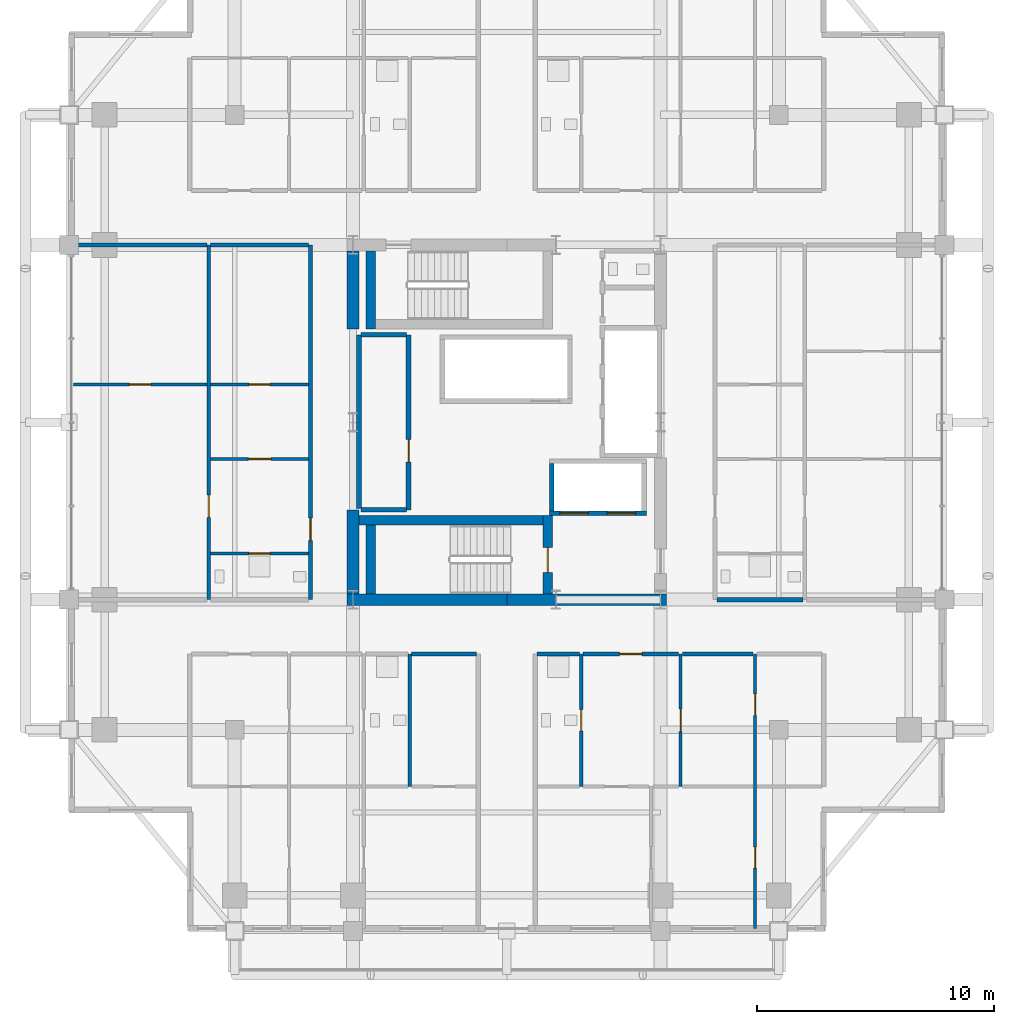
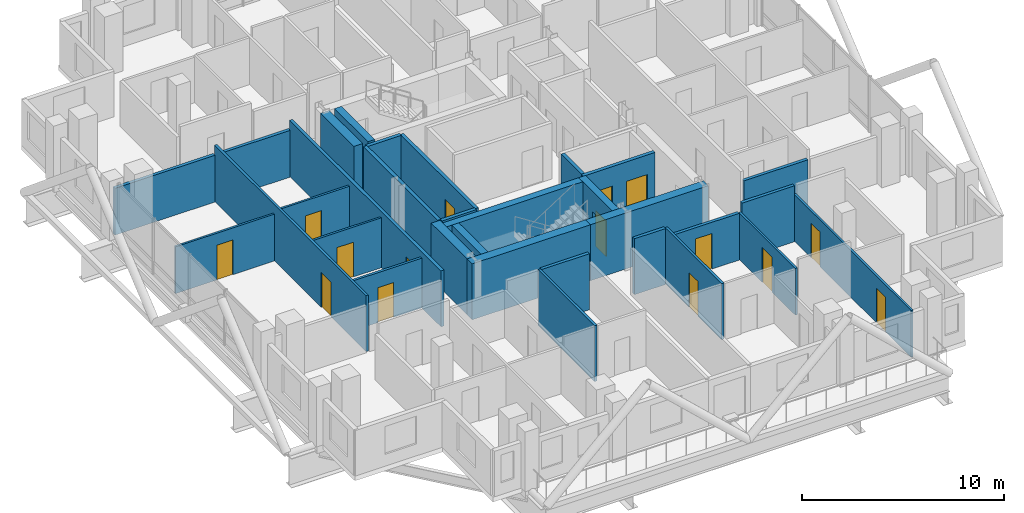
# One storey, part 17 of 23: 31 walls, 15 doors, 15 openings.
"""IFC4 building model written with IfcOpenShell, lengths in metres."""

from ifc_helpers import new_model, si_unit, direction, frame, frame_2d, origin, place, context, subcontext, project, spatial, rectangle, extrude, material, layer, layer_set, type_object, element, fill, save


model = new_model("IFC4")

# Units and contexts
model_context = context("Model", 3, precision=1e-05, world=origin(), true_north=direction((0.0, 1.0)))
body_context = subcontext(model_context, "Body", "Model", "MODEL_VIEW")
ifc_project = project(units=[si_unit("LENGTHUNIT", "METRE"), si_unit("AREAUNIT", "SQUARE_METRE"), si_unit("VOLUMEUNIT", "CUBIC_METRE"), si_unit("PLANEANGLEUNIT", "RADIAN"), si_unit("MASSUNIT", "GRAM", prefix="KILO")], contexts=[model_context])

# Site, building, storey
site_placement = place(None, origin())
site = spatial("IfcSite", under=ifc_project, at=site_placement, CompositionType="ELEMENT")
building_placement = place(site_placement, origin())
building = spatial("IfcBuilding", under=site, at=building_placement, Name="Barlavira Tower and Art Museum", CompositionType="ELEMENT")
storey_placement = place(building_placement, frame((0.0, 0.0, 165.60009765625)))
storey = spatial("IfcBuildingStorey", under=building, at=storey_placement, Name="L42", CompositionType="ELEMENT", Elevation=165.60009765625)

# Wall, opening, door
ifc_material_1 = material(Name="Gypsum acoustic stud partition", Category="gypsum")
ifc_layer_1 = layer(ifc_material_1, 0.1201171875, Name="Gypsum acoustic stud partition")
ifc_layer_set_1 = layer_set([ifc_layer_1], Name="Gypsum acoustic stud partition")
wall_type_1 = type_object("IfcWallType", Name="Apartment Internal Acoustic Partition 120", PredefinedType="PARTITIONING", material=ifc_layer_set_1)
wall_1_placement = place(storey_placement, frame((7.35009765625, -15.39990234375, 0.0), z_axis=(0.0, 0.0, 1.0), x_axis=(0.0, 1.0, 0.0)))
wall_1 = element("IfcWall", 1, at=wall_1_placement, inside=storey, type_object=wall_type_1, Name="L42 Partition Wall 21", PredefinedType="PARTITIONING", context=body_context, shape_type="SweptSolid", body=[
    extrude(rectangle(XDim=5.599853515625, YDim=0.1201171875, at=frame_2d((2.7998046875, 0.0))), origin(), (0.0, 0.0, 1.0), 2.825927734375),
])
opening_1_placement = place(wall_1_placement, frame((2.324951171875, 0.0, 0.0)))
opening_1 = element("IfcOpeningElement", 2, at=opening_1_placement, cuts=wall_1, Name="Opening D-02", PredefinedType="OPENING", context=body_context, shape_type="SweptSolid", body=[
    extrude(rectangle(XDim=0.949951171875, YDim=2.10009765625, at=frame_2d((0.47509765625, 1.050048828125))), frame((0.0, 0.070068359375, 0.0), z_axis=(0.0, -1.0, 0.0), x_axis=(1.0, 0.0, 0.0)), (0.0, 0.0, 1.0), 0.14013671875),
])
ifc_material_2 = material(Name="Engineered coastal hardwood", Category="wood")
door_type_1 = type_object("IfcDoorType", Name="Living and Salon Glazed-Leaf Door 950x2100", OperationType="NOTDEFINED", PredefinedType="DOOR", material=ifc_material_2)
door_1_placement = place(opening_1_placement, origin())
door_1 = element("IfcDoor", 3, at=door_1_placement, inside=storey, type_object=door_type_1, Name="Apartment SE1 Kitchen Door", OperationType="SINGLE_SWING_RIGHT", OverallHeight=2.10009765625, OverallWidth=0.949951171875, PredefinedType="DOOR", context=body_context, shape_type="SweptSolid", body=[
    extrude(rectangle(XDim=0.949951171875, YDim=2.10009765625, at=frame_2d((0.47509765625, 1.050048828125))), frame((0.0, 0.02490234375, 0.0), z_axis=(0.0, -1.0, 0.0), x_axis=(1.0, 0.0, 0.0)), (0.0, 0.0, 1.0), 0.050048828125),
])
fill(opening_1, door_1)

# Wall, openings, doors
wall_2_placement = place(storey_placement, frame((10.5, -21.39990234375, 0.0), z_axis=(0.0, 0.0, 1.0), x_axis=(0.0, 1.0, 0.0)))
wall_2 = element("IfcWall", 4, at=wall_2_placement, inside=storey, type_object=wall_type_1, Name="L42 Partition Wall 24", PredefinedType="PARTITIONING", context=body_context, shape_type="SweptSolid", body=[
    extrude(rectangle(XDim=11.599853515625, YDim=0.1201171875, at=frame_2d((5.7998046875, 0.0))), origin(), (0.0, 0.0, 1.0), 2.825927734375),
])
opening_2_placement = place(wall_2_placement, frame((9.005859375, 0.0, 0.0)))
opening_2 = element("IfcOpeningElement", 5, at=opening_2_placement, cuts=wall_2, Name="Opening D-01", PredefinedType="OPENING", context=body_context, shape_type="SweptSolid", body=[
    extrude(rectangle(XDim=0.89990234375, YDim=2.10009765625, at=frame_2d((0.449951171875, 1.050048828125))), frame((0.0, 0.070068359375, 0.0), z_axis=(0.0, -1.0, 0.0), x_axis=(1.0, 0.0, 0.0)), (0.0, 0.0, 1.0), 0.14013671875),
])
opening_3_placement = place(wall_2_placement, frame((2.550048828125, 0.0, 0.0)))
opening_3 = element("IfcOpeningElement", 6, at=opening_3_placement, cuts=wall_2, Name="Opening D-01", PredefinedType="OPENING", context=body_context, shape_type="SweptSolid", body=[
    extrude(rectangle(XDim=0.89990234375, YDim=2.10009765625, at=frame_2d((0.449951171875, 1.050048828125))), frame((0.0, 0.070068359375, 0.0), z_axis=(0.0, -1.0, 0.0), x_axis=(1.0, 0.0, 0.0)), (0.0, 0.0, 1.0), 0.14013671875),
])
door_type_2 = type_object("IfcDoorType", Name="Internal Bedroom Timber Flush Door 900x2100", OperationType="NOTDEFINED", PredefinedType="DOOR", material=ifc_material_2)
door_2_placement = place(opening_2_placement, origin())
door_2 = element("IfcDoor", 7, at=door_2_placement, inside=storey, type_object=door_type_2, Name="Apartment SE1 Walk-In Dressing Room Door", OperationType="SINGLE_SWING_LEFT", OverallHeight=2.10009765625, OverallWidth=0.89990234375, PredefinedType="DOOR", context=body_context, shape_type="SweptSolid", body=[
    extrude(rectangle(XDim=0.89990234375, YDim=2.10009765625, at=frame_2d((0.449951171875, 1.050048828125))), frame((0.0, 0.02490234375, 0.0), z_axis=(0.0, -1.0, 0.0), x_axis=(1.0, 0.0, 0.0)), (0.0, 0.0, 1.0), 0.050048828125),
])
fill(opening_2, door_2)
door_3_placement = place(opening_3_placement, origin())
door_3 = element("IfcDoor", 8, at=door_3_placement, inside=storey, type_object=door_type_2, Name="Apartment SE1 Bedroom 2 Door", OperationType="SINGLE_SWING_RIGHT", OverallHeight=2.10009765625, OverallWidth=0.89990234375, PredefinedType="DOOR", context=body_context, shape_type="SweptSolid", body=[
    extrude(rectangle(XDim=0.89990234375, YDim=2.10009765625, at=frame_2d((0.449951171875, 1.050048828125))), frame((0.0, 0.02490234375, 0.0), z_axis=(0.0, -1.0, 0.0), x_axis=(1.0, 0.0, 0.0)), (0.0, 0.0, 1.0), 0.050048828125),
])
fill(opening_3, door_3)

# Wall, opening, door
wall_3_placement = place(storey_placement, frame((-12.52001953125, -1.550048828125, 0.0), z_axis=(0.0, 0.0, 1.0), x_axis=(1.0, 0.0, 0.0)))
wall_3 = element("IfcWall", 9, at=wall_3_placement, inside=storey, type_object=wall_type_1, Name="L42 Partition Wall 53", PredefinedType="PARTITIONING", context=body_context, shape_type="SweptSolid", body=[
    extrude(rectangle(XDim=4.14013671875, YDim=0.1201171875, at=frame_2d((2.070068359375, 0.0))), origin(), (0.0, 0.0, 1.0), 3.010986328125),
])
opening_4_placement = place(wall_3_placement, frame((1.594970703125, 0.0, 0.0)))
opening_4 = element("IfcOpeningElement", 10, at=opening_4_placement, cuts=wall_3, Name="Opening D-02", PredefinedType="OPENING", context=body_context, shape_type="SweptSolid", body=[
    extrude(rectangle(XDim=0.949951171875, YDim=2.10009765625, at=frame_2d((0.47509765625, 1.050048828125))), frame((0.0, 0.070068359375, 0.0), z_axis=(0.0, -1.0, 0.0), x_axis=(1.0, 0.0, 0.0)), (0.0, 0.0, 1.0), 0.14013671875),
])
door_4_placement = place(opening_4_placement, origin())
door_4 = element("IfcDoor", 11, at=door_4_placement, inside=storey, type_object=door_type_1, Name="Apartment W1 Kitchen Door", OperationType="SINGLE_SWING_LEFT", OverallHeight=2.10009765625, OverallWidth=0.949951171875, PredefinedType="DOOR", context=body_context, shape_type="SweptSolid", body=[
    extrude(rectangle(XDim=0.949951171875, YDim=2.10009765625, at=frame_2d((0.47509765625, 1.050048828125))), frame((0.0, 0.02490234375, 0.0), z_axis=(0.0, -1.0, 0.0), x_axis=(1.0, 0.0, 0.0)), (0.0, 0.0, 1.0), 0.050048828125),
])
fill(opening_4, door_4)

wall_4_placement = place(storey_placement, frame((-18.320068359375, 1.60009765625, 0.0), z_axis=(0.0, 0.0, 1.0), x_axis=(1.0, 0.0, 0.0)))
wall_4 = element("IfcWall", 12, at=wall_4_placement, inside=storey, type_object=wall_type_1, Name="L42 Partition Wall 56", PredefinedType="PARTITIONING", context=body_context, shape_type="SweptSolid", body=[
    extrude(rectangle(XDim=5.64013671875, YDim=0.1201171875, at=frame_2d((2.820068359375, 0.0))), origin(), (0.0, 0.0, 1.0), 2.825927734375),
])
opening_5_placement = place(wall_4_placement, frame((2.3701171875, 0.0, 0.0)))
opening_5 = element("IfcOpeningElement", 13, at=opening_5_placement, cuts=wall_4, Name="Opening D-01", PredefinedType="OPENING", context=body_context, shape_type="SweptSolid", body=[
    extrude(rectangle(XDim=0.89990234375, YDim=2.10009765625, at=frame_2d((0.449951171875, 1.050048828125))), frame((0.0, 0.070068359375, 0.0), z_axis=(0.0, -1.0, 0.0), x_axis=(1.0, 0.0, 0.0)), (0.0, 0.0, 1.0), 0.14013671875),
])
door_5_placement = place(opening_5_placement, origin())
door_5 = element("IfcDoor", 14, at=door_5_placement, inside=storey, type_object=door_type_2, Name="Apartment W1 Bedroom 1 Door", OperationType="SINGLE_SWING_RIGHT", OverallHeight=2.10009765625, OverallWidth=0.89990234375, PredefinedType="DOOR", context=body_context, shape_type="SweptSolid", body=[
    extrude(rectangle(XDim=0.89990234375, YDim=2.10009765625, at=frame_2d((0.449951171875, 1.050048828125))), frame((0.0, 0.02490234375, 0.0), z_axis=(0.0, -1.0, 0.0), x_axis=(1.0, 0.0, 0.0)), (0.0, 0.0, 1.0), 0.050048828125),
])
fill(opening_5, door_5)

wall_5_placement = place(storey_placement, frame((-12.52001953125, 1.60009765625, 0.0), z_axis=(0.0, 0.0, 1.0), x_axis=(1.0, 0.0, 0.0)))
wall_5 = element("IfcWall", 15, at=wall_5_placement, inside=storey, type_object=wall_type_1, Name="L42 Partition Wall 57", PredefinedType="PARTITIONING", context=body_context, shape_type="SweptSolid", body=[
    extrude(rectangle(XDim=4.14013671875, YDim=0.1201171875, at=frame_2d((2.070068359375, 0.0))), origin(), (0.0, 0.0, 1.0), 3.010986328125),
])
opening_6_placement = place(wall_5_placement, frame((1.6201171875, 0.0, 0.0)))
opening_6 = element("IfcOpeningElement", 16, at=opening_6_placement, cuts=wall_5, Name="Opening D-01", PredefinedType="OPENING", context=body_context, shape_type="SweptSolid", body=[
    extrude(rectangle(XDim=0.89990234375, YDim=2.10009765625, at=frame_2d((0.449951171875, 1.050048828125))), frame((0.0, 0.070068359375, 0.0), z_axis=(0.0, -1.0, 0.0), x_axis=(1.0, 0.0, 0.0)), (0.0, 0.0, 1.0), 0.14013671875),
])
door_6_placement = place(opening_6_placement, origin())
door_6 = element("IfcDoor", 17, at=door_6_placement, inside=storey, type_object=door_type_2, Name="Apartment W1 Walk-In Dressing Room Door", OperationType="SINGLE_SWING_RIGHT", OverallHeight=2.10009765625, OverallWidth=0.89990234375, PredefinedType="DOOR", context=body_context, shape_type="SweptSolid", body=[
    extrude(rectangle(XDim=0.89990234375, YDim=2.10009765625, at=frame_2d((0.449951171875, 1.050048828125))), frame((0.0, 0.02490234375, 0.0), z_axis=(0.0, -1.0, 0.0), x_axis=(1.0, 0.0, 0.0)), (0.0, 0.0, 1.0), 0.050048828125),
])
fill(opening_6, door_6)

# Walls
ifc_material_3 = material(Name="Concrete C60", Category="concrete")
ifc_layer_2 = layer(ifc_material_3, 0.5, Name="Concrete C60")
ifc_layer_set_2 = layer_set([ifc_layer_2], Name="Concrete C60")
wall_type_2 = type_object("IfcWallType", Name="Core Structural Shear Wall 500 Concrete C60", PredefinedType="SHEAR", material=ifc_layer_set_2)
for number, where, z_axis, x_axis, name in (
    (18, (-6.75, -7.5, 0.0), (0.0, 0.0, 1.0), (1.0, 0.0, 0.0), "L42 Core Shear Wall CS-SW"),
    (19, (0.0, -7.5, 0.0), (0.0, 0.0, 1.0), (1.0, 0.0, 0.0), "L42 Core Shear Wall CS-SE"),
):
    element("IfcWall", number, at=place(storey_placement, frame(where, z_axis=z_axis, x_axis=x_axis)), inside=storey, type_object=wall_type_2, Name=name, PredefinedType="SHEAR", context=body_context, shape_type="SweptSolid", body=[
        extrude(rectangle(XDim=6.75, YDim=0.5, at=frame_2d((3.375, 0.0))), origin(), (0.0, 0.0, 1.0), 3.3798828125),
    ])
wall_6_placement = place(storey_placement, frame((-6.5, -7.25, 0.0), z_axis=(0.0, 0.0, 1.0), x_axis=(0.0, 1.0, 0.0)))
element("IfcWall", 20, at=wall_6_placement, inside=storey, type_object=wall_type_2, Name="L42 Core Shear Wall CS-W1", PredefinedType="SHEAR", context=body_context, shape_type="SweptSolid", body=[
    extrude(rectangle(XDim=3.550048828125, YDim=0.5, at=frame_2d((1.77490234375, 0.0))), origin(), (0.0, 0.0, 1.0), 3.3798828125),
])
wall_7_placement = place(storey_placement, frame((-6.5, 3.949951171875, 0.0), z_axis=(0.0, 0.0, 1.0), x_axis=(0.0, 1.0, 0.0)))
element("IfcWall", 21, at=wall_7_placement, inside=storey, type_object=wall_type_2, Name="L42 Core Shear Wall CS-W2", PredefinedType="SHEAR", context=body_context, shape_type="SweptSolid", body=[
    extrude(rectangle(XDim=3.300048828125, YDim=0.5, at=frame_2d((1.64990234375, 0.0))), origin(), (0.0, 0.0, 1.0), 3.3798828125),
])

# Wall, openings, doors
ifc_material_4 = material(Name="Autoclaved aerated concrete masonry", Category="masonry")
ifc_layer_3 = layer(ifc_material_4, 0.199951171875, Name="Autoclaved aerated concrete masonry")
ifc_layer_set_3 = layer_set([ifc_layer_3], Name="Autoclaved aerated concrete masonry")
wall_type_3 = type_object("IfcWallType", Name="Fire Compartment and Shaft Wall 200", PredefinedType="SOLIDWALL", material=ifc_layer_set_3)
wall_8_placement = place(storey_placement, frame((1.800048828125, -3.85009765625, 0.0), z_axis=(0.0, 0.0, 1.0), x_axis=(1.0, 0.0, 0.0)))
wall_8 = element("IfcWall", 22, at=wall_8_placement, inside=storey, type_object=wall_type_3, Name="L42 Firefighting Lift Front Shaft Wall", PredefinedType="SOLIDWALL", context=body_context, shape_type="SweptSolid", body=[
    extrude(rectangle(XDim=4.099853515625, YDim=0.199951171875, at=frame_2d((2.0498046875, 0.0))), origin(), (0.0, 0.0, 1.0), 3.3798828125),
])
opening_7_placement = place(wall_8_placement, frame((0.449951171875, 0.0, 0.0)))
opening_7 = element("IfcOpeningElement", 23, at=opening_7_placement, cuts=wall_8, Name="Opening LD-F", PredefinedType="OPENING", context=body_context, shape_type="SweptSolid", body=[
    extrude(rectangle(XDim=1.199951171875, YDim=2.199951171875, at=frame_2d((0.60009765625, 1.10009765625))), frame((0.0, 0.10986328125, 0.0), z_axis=(0.0, -1.0, 0.0), x_axis=(1.0, 0.0, 0.0)), (0.0, 0.0, 1.0), 0.219970703125),
])
opening_8_placement = place(wall_8_placement, frame((2.449951171875, 0.0, 0.0)))
opening_8 = element("IfcOpeningElement", 24, at=opening_8_placement, cuts=wall_8, Name="Opening LD-F", PredefinedType="OPENING", context=body_context, shape_type="SweptSolid", body=[
    extrude(rectangle(XDim=1.199951171875, YDim=2.199951171875, at=frame_2d((0.60009765625, 1.10009765625))), frame((0.0, 0.10986328125, 0.0), z_axis=(0.0, -1.0, 0.0), x_axis=(1.0, 0.0, 0.0)), (0.0, 0.0, 1.0), 0.219970703125),
])
ifc_material_5 = material(Name="Brushed stainless steel", Category="steel")
door_type_3 = type_object("IfcDoorType", Name="Firefighting and Service Lift Sliding Door 1200x2200 FD120", OperationType="NOTDEFINED", PredefinedType="DOOR", material=ifc_material_5)
door_7_placement = place(opening_7_placement, origin())
door_7 = element("IfcDoor", 25, at=door_7_placement, inside=storey, type_object=door_type_3, Name="L42 Firefighting Lift FF1 Sliding Door", OperationType="DOUBLE_DOOR_SLIDING", OverallHeight=2.199951171875, OverallWidth=1.199951171875, PredefinedType="DOOR", context=body_context, shape_type="SweptSolid", body=[
    extrude(rectangle(XDim=1.199951171875, YDim=2.199951171875, at=frame_2d((0.60009765625, 1.10009765625))), frame((0.0, 0.02490234375, 0.0), z_axis=(0.0, -1.0, 0.0), x_axis=(1.0, 0.0, 0.0)), (0.0, 0.0, 1.0), 0.050048828125),
])
fill(opening_7, door_7)
door_8_placement = place(opening_8_placement, origin())
door_8 = element("IfcDoor", 26, at=door_8_placement, inside=storey, type_object=door_type_3, Name="L42 Firefighting Lift FF2 Sliding Door", OperationType="DOUBLE_DOOR_SLIDING", OverallHeight=2.199951171875, OverallWidth=1.199951171875, PredefinedType="DOOR", context=body_context, shape_type="SweptSolid", body=[
    extrude(rectangle(XDim=1.199951171875, YDim=2.199951171875, at=frame_2d((0.60009765625, 1.10009765625))), frame((0.0, 0.02490234375, 0.0), z_axis=(0.0, -1.0, 0.0), x_axis=(1.0, 0.0, 0.0)), (0.0, 0.0, 1.0), 0.050048828125),
])
fill(opening_8, door_8)

# Walls
wall_9_placement = place(storey_placement, frame((1.89990234375, -3.75, 0.0), z_axis=(0.0, 0.0, 1.0), x_axis=(0.0, 1.0, 0.0)))
element("IfcWall", 27, at=wall_9_placement, inside=storey, type_object=wall_type_3, Name="L42 Firefighting Lift West Shaft Wall", PredefinedType="SOLIDWALL", context=body_context, shape_type="SweptSolid", body=[
    extrude(rectangle(XDim=2.0, YDim=0.199951171875, at=frame_2d((1.0, 0.0))), origin(), (0.0, 0.0, 1.0), 3.3798828125),
])
wall_10_placement = place(storey_placement, frame((-6.25, -3.639892578125, 0.0), z_axis=(0.0, 0.0, 1.0), x_axis=(0.0, 1.0, 0.0)))
element("IfcWall", 28, at=wall_10_placement, inside=storey, type_object=wall_type_3, Name="L42 Partition Wall 7", PredefinedType="SOLIDWALL", context=body_context, shape_type="SweptSolid", body=[
    extrude(rectangle(XDim=7.33984375, YDim=0.199951171875, at=frame_2d((3.669921875, 0.0))), origin(), (0.0, 0.0, 1.0), 3.3798828125),
])

# Wall, opening, door
wall_11_placement = place(storey_placement, frame((-4.14990234375, -3.699951171875, 0.0), z_axis=(0.0, 0.0, 1.0), x_axis=(0.0, 1.0, 0.0)))
wall_11 = element("IfcWall", 29, at=wall_11_placement, inside=storey, type_object=wall_type_3, Name="L42 Partition Wall 10", PredefinedType="SOLIDWALL", context=body_context, shape_type="SweptSolid", body=[
    extrude(rectangle(XDim=7.39990234375, YDim=0.199951171875, at=frame_2d((3.699951171875, 0.0))), origin(), (0.0, 0.0, 1.0), 3.3798828125),
])
opening_9_placement = place(wall_11_placement, frame((2.02490234375, 0.0, 0.0)))
opening_9 = element("IfcOpeningElement", 30, at=opening_9_placement, cuts=wall_11, Name="Opening FD-60", PredefinedType="OPENING", context=body_context, shape_type="SweptSolid", body=[
    extrude(rectangle(XDim=0.949951171875, YDim=2.14990234375, at=frame_2d((0.47509765625, 1.074951171875))), frame((0.0, 0.10986328125, 0.0), z_axis=(0.0, -1.0, 0.0), x_axis=(1.0, 0.0, 0.0)), (0.0, 0.0, 1.0), 0.219970703125),
])
door_type_4 = type_object("IfcDoorType", Name="Apartment Entrance and Riser Fire Door 950x2150 FD60S", OperationType="NOTDEFINED", PredefinedType="DOOR", material=ifc_material_5)
door_9_placement = place(opening_9_placement, origin())
door_9 = element("IfcDoor", 31, at=door_9_placement, inside=storey, type_object=door_type_4, Name="Reclaimed Core Tenant Storage Vault Door", OperationType="SINGLE_SWING_RIGHT", OverallHeight=2.14990234375, OverallWidth=0.949951171875, PredefinedType="DOOR", context=body_context, shape_type="SweptSolid", body=[
    extrude(rectangle(XDim=0.949951171875, YDim=2.14990234375, at=frame_2d((0.47509765625, 1.074951171875))), frame((0.0, 0.02490234375, 0.0), z_axis=(0.0, -1.0, 0.0), x_axis=(1.0, 0.0, 0.0)), (0.0, 0.0, 1.0), 0.050048828125),
])
fill(opening_9, door_9)

# Walls
for number, where, z_axis, x_axis, name in (
    (32, (-6.169921875, -3.699951171875, 0.0), (0.0, 0.0, 1.0), (1.0, 0.0, 0.0), "L42 Partition Wall 52"),
    (33, (-6.169921875, 3.699951171875, 0.0), (0.0, 0.0, 1.0), (1.0, 0.0, 0.0), "L42 Partition Wall 60"),
):
    element("IfcWall", number, at=place(storey_placement, frame(where, z_axis=z_axis, x_axis=x_axis)), inside=storey, type_object=wall_type_3, Name=name, PredefinedType="SOLIDWALL", context=body_context, shape_type="SweptSolid", body=[
        extrude(rectangle(XDim=1.93994140625, YDim=0.199951171875, at=frame_2d((0.969970703125, 0.0))), origin(), (0.0, 0.0, 1.0), 3.3798828125),
    ])

# Wall, opening, door
ifc_layer_4 = layer(ifc_material_1, 0.179931640625, Name="Gypsum acoustic stud partition")
ifc_layer_set_4 = layer_set([ifc_layer_4], Name="Gypsum acoustic stud partition")
wall_type_4 = type_object("IfcWallType", Name="Inter-Tenancy Party Partition Wall 180", PredefinedType="PARTITIONING", material=ifc_layer_set_4)
wall_12_placement = place(storey_placement, frame((-8.300048828125, -7.5, 0.0), z_axis=(0.0, 0.0, 1.0), x_axis=(0.0, 1.0, 0.0)))
wall_12 = element("IfcWall", 34, at=wall_12_placement, inside=storey, type_object=wall_type_4, Name="L42 Partition Wall 6", PredefinedType="PARTITIONING", context=body_context, shape_type="SweptSolid", body=[
    extrude(rectangle(XDim=15.0, YDim=0.179931640625, at=frame_2d((7.5, 0.0))), origin(), (0.0, 0.0, 1.0), 3.3798828125),
])
opening_10_placement = place(wall_12_placement, frame((2.4951171875, 0.0, 0.0)))
opening_10 = element("IfcOpeningElement", 35, at=opening_10_placement, cuts=wall_12, Name="Opening FD-60", PredefinedType="OPENING", context=body_context, shape_type="SweptSolid", body=[
    extrude(rectangle(XDim=0.949951171875, YDim=2.14990234375, at=frame_2d((0.47509765625, 1.074951171875))), frame((0.0, 0.10009765625, 0.0), z_axis=(0.0, -1.0, 0.0), x_axis=(1.0, 0.0, 0.0)), (0.0, 0.0, 1.0), 0.199951171875),
])
door_10_placement = place(opening_10_placement, origin())
door_10 = element("IfcDoor", 36, at=door_10_placement, inside=storey, type_object=door_type_4, Name="Apartment Entrance Hall W1 Door", OperationType="SINGLE_SWING_RIGHT", OverallHeight=2.14990234375, OverallWidth=0.949951171875, PredefinedType="DOOR", context=body_context, shape_type="SweptSolid", body=[
    extrude(rectangle(XDim=0.949951171875, YDim=2.14990234375, at=frame_2d((0.47509765625, 1.074951171875))), frame((0.0, 0.02490234375, 0.0), z_axis=(0.0, -1.0, 0.0), x_axis=(1.0, 0.0, 0.0)), (0.0, 0.0, 1.0), 0.050048828125),
])
fill(opening_10, door_10)

# Walls
wall_13_placement = place(storey_placement, frame((-4.02001953125, -9.800048828125, 0.0), z_axis=(0.0, 0.0, 1.0), x_axis=(1.0, 0.0, 0.0)))
element("IfcWall", 37, at=wall_13_placement, inside=storey, type_object=wall_type_4, Name="L42 Partition Wall 41", PredefinedType="PARTITIONING", context=body_context, shape_type="SweptSolid", body=[
    extrude(rectangle(XDim=2.739990234375, YDim=0.179931640625, at=frame_2d((1.3701171875, 0.0))), origin(), (0.0, 0.0, 1.0), 3.3798828125),
])
wall_14_placement = place(storey_placement, frame((1.280029296875, -9.800048828125, 0.0), z_axis=(0.0, 0.0, 1.0), x_axis=(1.0, 0.0, 0.0)))
element("IfcWall", 38, at=wall_14_placement, inside=storey, type_object=wall_type_4, Name="L42 Partition Wall 42", PredefinedType="PARTITIONING", context=body_context, shape_type="SweptSolid", body=[
    extrude(rectangle(XDim=1.7900390625, YDim=0.179931640625, at=frame_2d((0.89501953125, 0.0))), origin(), (0.0, 0.0, 1.0), 3.3798828125),
])

# Wall, opening, door
wall_15_placement = place(storey_placement, frame((3.22998046875, -9.800048828125, 0.0), z_axis=(0.0, 0.0, 1.0), x_axis=(1.0, 0.0, 0.0)))
wall_15 = element("IfcWall", 39, at=wall_15_placement, inside=storey, type_object=wall_type_4, Name="L42 Partition Wall 43", PredefinedType="PARTITIONING", context=body_context, shape_type="SweptSolid", body=[
    extrude(rectangle(XDim=4.0400390625, YDim=0.179931640625, at=frame_2d((2.02001953125, 0.0))), origin(), (0.0, 0.0, 1.0), 2.825927734375),
])
opening_11_placement = place(wall_15_placement, frame((1.544921875, 0.0, 0.0)))
opening_11 = element("IfcOpeningElement", 40, at=opening_11_placement, cuts=wall_15, Name="Opening FD-60", PredefinedType="OPENING", context=body_context, shape_type="SweptSolid", body=[
    extrude(rectangle(XDim=0.949951171875, YDim=2.14990234375, at=frame_2d((0.47509765625, 1.074951171875))), frame((0.0, 0.10009765625, 0.0), z_axis=(0.0, -1.0, 0.0), x_axis=(1.0, 0.0, 0.0)), (0.0, 0.0, 1.0), 0.199951171875),
])
door_11_placement = place(opening_11_placement, origin())
door_11 = element("IfcDoor", 41, at=door_11_placement, inside=storey, type_object=door_type_4, Name="Apartment Entrance Hall SE1 Door", OperationType="SINGLE_SWING_LEFT", OverallHeight=2.14990234375, OverallWidth=0.949951171875, PredefinedType="DOOR", context=body_context, shape_type="SweptSolid", body=[
    extrude(rectangle(XDim=0.949951171875, YDim=2.14990234375, at=frame_2d((0.47509765625, 1.074951171875))), frame((0.0, 0.02490234375, 0.0), z_axis=(0.0, -1.0, 0.0), x_axis=(1.0, 0.0, 0.0)), (0.0, 0.0, 1.0), 0.050048828125),
])
fill(opening_11, door_11)

# Walls
wall_16_placement = place(storey_placement, frame((7.429931640625, -9.800048828125, 0.0), z_axis=(0.0, 0.0, 1.0), x_axis=(1.0, 0.0, 0.0)))
element("IfcWall", 42, at=wall_16_placement, inside=storey, type_object=wall_type_4, Name="L42 Partition Wall 44", PredefinedType="PARTITIONING", context=body_context, shape_type="SweptSolid", body=[
    extrude(rectangle(XDim=2.989990234375, YDim=0.179931640625, at=frame_2d((1.4951171875, 0.0))), origin(), (0.0, 0.0, 1.0), 3.3798828125),
])
wall_17_placement = place(storey_placement, frame((8.8798828125, -7.5, 0.0), z_axis=(0.0, 0.0, 1.0), x_axis=(1.0, 0.0, 0.0)))
element("IfcWall", 43, at=wall_17_placement, inside=storey, type_object=wall_type_4, Name="L42 Partition Wall 48", PredefinedType="PARTITIONING", context=body_context, shape_type="SweptSolid", body=[
    extrude(rectangle(XDim=3.64013671875, YDim=0.179931640625, at=frame_2d((1.820068359375, 0.0))), origin(), (0.0, 0.0, 1.0), 2.825927734375),
])
wall_18_placement = place(storey_placement, frame((-18.39990234375, 7.5, 0.0), z_axis=(0.0, 0.0, 1.0), x_axis=(1.0, 0.0, 0.0)))
element("IfcWall", 44, at=wall_18_placement, inside=storey, type_object=wall_type_4, Name="L42 Partition Wall 63", PredefinedType="PARTITIONING", context=body_context, shape_type="SweptSolid", body=[
    extrude(rectangle(XDim=5.719970703125, YDim=0.179931640625, at=frame_2d((2.85986328125, 0.0))), origin(), (0.0, 0.0, 1.0), 2.825927734375),
])
wall_19_placement = place(storey_placement, frame((-12.52001953125, 7.5, 0.0), z_axis=(0.0, 0.0, 1.0), x_axis=(1.0, 0.0, 0.0)))
element("IfcWall", 45, at=wall_19_placement, inside=storey, type_object=wall_type_4, Name="L42 Partition Wall 64", PredefinedType="PARTITIONING", context=body_context, shape_type="SweptSolid", body=[
    extrude(rectangle(XDim=4.14013671875, YDim=0.179931640625, at=frame_2d((2.070068359375, 0.0))), origin(), (0.0, 0.0, 1.0), 2.825927734375),
])

# Wall, opening, door
ifc_layer_5 = layer(ifc_material_1, 0.139892578125, Name="Gypsum acoustic stud partition")
ifc_layer_set_5 = layer_set([ifc_layer_5], Name="Gypsum acoustic stud partition")
wall_type_5 = type_object("IfcWallType", Name="Moisture-Resistant Bathroom Partition 140", PredefinedType="PARTITIONING", material=ifc_layer_set_5)
wall_20_placement = place(storey_placement, frame((-12.60009765625, -7.5, 0.0), z_axis=(0.0, 0.0, 1.0), x_axis=(0.0, 1.0, 0.0)))
wall_20 = element("IfcWall", 46, at=wall_20_placement, inside=storey, type_object=wall_type_5, Name="L42 Partition Wall 3", PredefinedType="PARTITIONING", context=body_context, shape_type="SweptSolid", body=[
    extrude(rectangle(XDim=15.0, YDim=0.139892578125, at=frame_2d((7.5, 0.0))), origin(), (0.0, 0.0, 1.0), 3.3798828125),
])
opening_12_placement = place(wall_20_placement, frame((3.47509765625, 0.0, 0.0)))
opening_12 = element("IfcOpeningElement", 47, at=opening_12_placement, cuts=wall_20, Name="Opening D-02", PredefinedType="OPENING", context=body_context, shape_type="SweptSolid", body=[
    extrude(rectangle(XDim=0.949951171875, YDim=2.10009765625, at=frame_2d((0.47509765625, 1.050048828125))), frame((0.0, 0.080078125, 0.0), z_axis=(0.0, -1.0, 0.0), x_axis=(1.0, 0.0, 0.0)), (0.0, 0.0, 1.0), 0.159912109375),
])
door_12_placement = place(opening_12_placement, origin())
door_12 = element("IfcDoor", 48, at=door_12_placement, inside=storey, type_object=door_type_1, Name="Apartment W1 Living Lounge Door", OperationType="SINGLE_SWING_LEFT", OverallHeight=2.10009765625, OverallWidth=0.949951171875, PredefinedType="DOOR", context=body_context, shape_type="SweptSolid", body=[
    extrude(rectangle(XDim=0.949951171875, YDim=2.10009765625, at=frame_2d((0.47509765625, 1.050048828125))), frame((0.0, 0.02490234375, 0.0), z_axis=(0.0, -1.0, 0.0), x_axis=(1.0, 0.0, 0.0)), (0.0, 0.0, 1.0), 0.050048828125),
])
fill(opening_12, door_12)

# Wall
wall_21_placement = place(storey_placement, frame((-4.10009765625, -15.39990234375, 0.0), z_axis=(0.0, 0.0, 1.0), x_axis=(0.0, 1.0, 0.0)))
element("IfcWall", 49, at=wall_21_placement, inside=storey, type_object=wall_type_5, Name="L42 Partition Wall 11", PredefinedType="PARTITIONING", context=body_context, shape_type="SweptSolid", body=[
    extrude(rectangle(XDim=5.599853515625, YDim=0.139892578125, at=frame_2d((2.7998046875, 0.0))), origin(), (0.0, 0.0, 1.0), 3.3798828125),
])

# Wall, opening, door
wall_22_placement = place(storey_placement, frame((3.14990234375, -15.39990234375, 0.0), z_axis=(0.0, 0.0, 1.0), x_axis=(0.0, 1.0, 0.0)))
wall_22 = element("IfcWall", 50, at=wall_22_placement, inside=storey, type_object=wall_type_5, Name="L42 Partition Wall 17", PredefinedType="PARTITIONING", context=body_context, shape_type="SweptSolid", body=[
    extrude(rectangle(XDim=5.599853515625, YDim=0.139892578125, at=frame_2d((2.7998046875, 0.0))), origin(), (0.0, 0.0, 1.0), 3.3798828125),
])
opening_13_placement = place(wall_22_placement, frame((2.35009765625, 0.0, 0.0)))
opening_13 = element("IfcOpeningElement", 51, at=opening_13_placement, cuts=wall_22, Name="Opening D-WC", PredefinedType="OPENING", context=body_context, shape_type="SweptSolid", body=[
    extrude(rectangle(XDim=0.89990234375, YDim=2.10009765625, at=frame_2d((0.449951171875, 1.050048828125))), frame((0.0, 0.080078125, 0.0), z_axis=(0.0, -1.0, 0.0), x_axis=(1.0, 0.0, 0.0)), (0.0, 0.0, 1.0), 0.159912109375),
])
door_type_5 = type_object("IfcDoorType", Name="Accessible Bathroom Flush Door 900x2100", OperationType="NOTDEFINED", PredefinedType="DOOR", material=ifc_material_2)
door_13_placement = place(opening_13_placement, origin())
door_13 = element("IfcDoor", 52, at=door_13_placement, inside=storey, type_object=door_type_5, Name="Apartment SE1 Hall Bathroom Door", OperationType="SINGLE_SWING_RIGHT", OverallHeight=2.10009765625, OverallWidth=0.89990234375, PredefinedType="DOOR", context=body_context, shape_type="SweptSolid", body=[
    extrude(rectangle(XDim=0.89990234375, YDim=2.10009765625, at=frame_2d((0.449951171875, 1.050048828125))), frame((0.0, 0.02490234375, 0.0), z_axis=(0.0, -1.0, 0.0), x_axis=(1.0, 0.0, 0.0)), (0.0, 0.0, 1.0), 0.050048828125),
])
fill(opening_13, door_13)

wall_23_placement = place(storey_placement, frame((-12.52001953125, -5.550048828125, 0.0), z_axis=(0.0, 0.0, 1.0), x_axis=(1.0, 0.0, 0.0)))
wall_23 = element("IfcWall", 53, at=wall_23_placement, inside=storey, type_object=wall_type_5, Name="L42 Partition Wall 50", PredefinedType="PARTITIONING", context=body_context, shape_type="SweptSolid", body=[
    extrude(rectangle(XDim=4.14013671875, YDim=0.139892578125, at=frame_2d((2.070068359375, 0.0))), origin(), (0.0, 0.0, 1.0), 3.010986328125),
])
opening_14_placement = place(wall_23_placement, frame((1.6201171875, 0.0, 0.0)))
opening_14 = element("IfcOpeningElement", 54, at=opening_14_placement, cuts=wall_23, Name="Opening D-WC", PredefinedType="OPENING", context=body_context, shape_type="SweptSolid", body=[
    extrude(rectangle(XDim=0.89990234375, YDim=2.10009765625, at=frame_2d((0.449951171875, 1.050048828125))), frame((0.0, 0.080078125, 0.0), z_axis=(0.0, -1.0, 0.0), x_axis=(1.0, 0.0, 0.0)), (0.0, 0.0, 1.0), 0.159912109375),
])
door_14_placement = place(opening_14_placement, origin())
door_14 = element("IfcDoor", 55, at=door_14_placement, inside=storey, type_object=door_type_5, Name="Apartment W1 Hall Bathroom Door", OperationType="SINGLE_SWING_LEFT", OverallHeight=2.10009765625, OverallWidth=0.89990234375, PredefinedType="DOOR", context=body_context, shape_type="SweptSolid", body=[
    extrude(rectangle(XDim=0.89990234375, YDim=2.10009765625, at=frame_2d((0.449951171875, 1.050048828125))), frame((0.0, 0.02490234375, 0.0), z_axis=(0.0, -1.0, 0.0), x_axis=(1.0, 0.0, 0.0)), (0.0, 0.0, 1.0), 0.050048828125),
])
fill(opening_14, door_14)

# Walls
ifc_material_6 = material(Name="Concrete C55", Category="concrete")
ifc_layer_6 = layer(ifc_material_6, 0.39990234375, Name="Concrete C55")
ifc_layer_set_6 = layer_set([ifc_layer_6], Name="Concrete C55")
wall_type_6 = type_object("IfcWallType", Name="Upper Core Shear Wall 400 Concrete C55", PredefinedType="SHEAR", material=ifc_layer_set_6)
wall_24_placement = place(storey_placement, frame((-5.75, -7.25, 0.0), z_axis=(0.0, 0.0, 1.0), x_axis=(0.0, 1.0, 0.0)))
element("IfcWall", 56, at=wall_24_placement, inside=storey, type_object=wall_type_6, Name="L42 ST-T1 West Half-Landing Wall", PredefinedType="SHEAR", context=body_context, shape_type="SweptSolid", body=[
    extrude(rectangle(XDim=2.89990234375, YDim=0.39990234375, at=frame_2d((1.449951171875, 0.0))), origin(), (0.0, 0.0, 1.0), 3.3798828125),
])
wall_25_placement = place(storey_placement, frame((-6.25, -4.14990234375, 0.0), z_axis=(0.0, 0.0, 1.0), x_axis=(1.0, 0.0, 0.0)))
element("IfcWall", 57, at=wall_25_placement, inside=storey, type_object=wall_type_6, Name="L42 ST-T1 North Shaft Wall", PredefinedType="SHEAR", context=body_context, shape_type="SweptSolid", body=[
    extrude(rectangle(XDim=7.780029296875, YDim=0.39990234375, at=frame_2d((3.89013671875, 0.0))), origin(), (0.0, 0.0, 1.0), 3.3798828125),
])

# Wall, opening, door
wall_26_placement = place(storey_placement, frame((1.72998046875, -7.25, 0.0), z_axis=(0.0, 0.0, 1.0), x_axis=(0.0, 1.0, 0.0)))
wall_26 = element("IfcWall", 58, at=wall_26_placement, inside=storey, type_object=wall_type_6, Name="L42 ST-T1 East Landing Wall", PredefinedType="SHEAR", context=body_context, shape_type="SweptSolid", body=[
    extrude(rectangle(XDim=3.300048828125, YDim=0.39990234375, at=frame_2d((1.64990234375, 0.0))), origin(), (0.0, 0.0, 1.0), 3.3798828125),
])
opening_15_placement = place(wall_26_placement, frame((0.89990234375, 0.0, 0.0)))
opening_15 = element("IfcOpeningElement", 59, at=opening_15_placement, cuts=wall_26, Name="Opening FD-90", PredefinedType="OPENING", context=body_context, shape_type="SweptSolid", body=[
    extrude(rectangle(XDim=1.050048828125, YDim=2.14990234375, at=frame_2d((0.52490234375, 1.074951171875))), frame((0.0, 0.2099609375, 0.0), z_axis=(0.0, -1.0, 0.0), x_axis=(1.0, 0.0, 0.0)), (0.0, 0.0, 1.0), 0.419921875),
])
door_type_6 = type_object("IfcDoorType", Name="Stair and Refuge Fire Door 1050x2150 FD90S", OperationType="NOTDEFINED", PredefinedType="DOOR", material=ifc_material_5)
door_15_placement = place(opening_15_placement, origin())
door_15 = element("IfcDoor", 60, at=door_15_placement, inside=storey, type_object=door_type_6, Name="L42 Stair ST-T1 Fire Door", OperationType="SINGLE_SWING_RIGHT", OverallHeight=2.14990234375, OverallWidth=1.050048828125, PredefinedType="DOOR", context=body_context, shape_type="SweptSolid", body=[
    extrude(rectangle(XDim=1.050048828125, YDim=2.14990234375, at=frame_2d((0.52490234375, 1.074951171875))), frame((0.0, 0.02490234375, 0.0), z_axis=(0.0, -1.0, 0.0), x_axis=(1.0, 0.0, 0.0)), (0.0, 0.0, 1.0), 0.050048828125),
])
fill(opening_15, door_15)

# Wall
wall_27_placement = place(storey_placement, frame((-5.75, 3.949951171875, 0.0), z_axis=(0.0, 0.0, 1.0), x_axis=(0.0, 1.0, 0.0)))
element("IfcWall", 61, at=wall_27_placement, inside=storey, type_object=wall_type_6, Name="L42 ST-T2 West Shaft Wall", PredefinedType="SHEAR", context=body_context, shape_type="SweptSolid", body=[
    extrude(rectangle(XDim=3.300048828125, YDim=0.39990234375, at=frame_2d((1.64990234375, 0.0))), origin(), (0.0, 0.0, 1.0), 3.3798828125),
])

save(model, "model.ifc")
